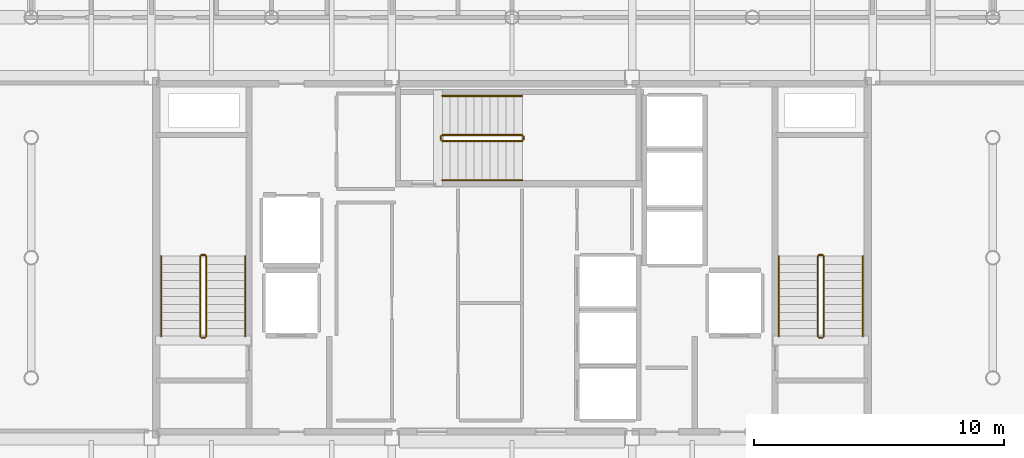
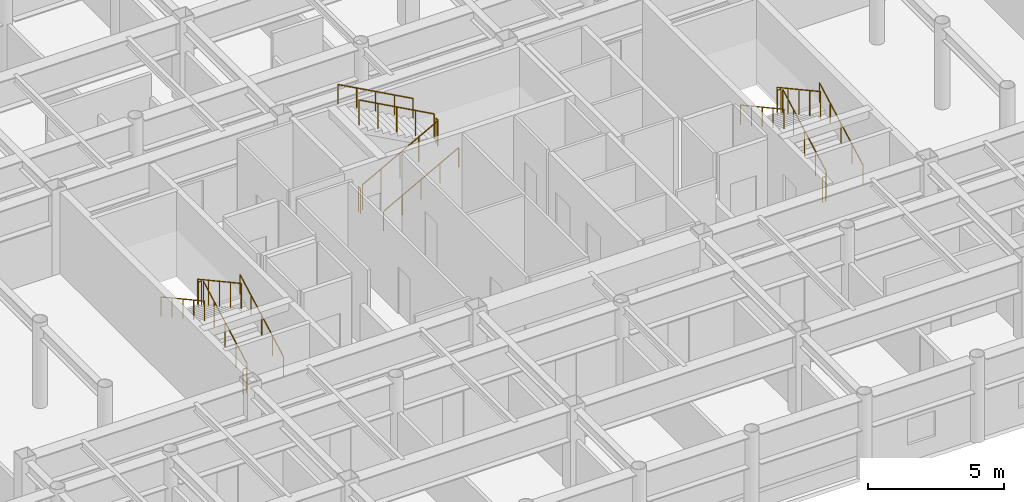
# One storey, part 24 of 25: 18 railings.
"""IFC4 building model written with IfcOpenShell, lengths in metres."""

from ifc_helpers import new_model, si_unit, direction, frame, origin, origin_2d, place, context, subcontext, project, spatial, circle, extrude, material, layer, layer_set, type_object, element, save


model = new_model("IFC4")

# Units and contexts
model_context = context("Model", 3, precision=1e-05, world=origin(), true_north=direction((0.0, 1.0)))
body_context = subcontext(model_context, "Body", "Model", "MODEL_VIEW")
ifc_project = project(units=[si_unit("LENGTHUNIT", "METRE"), si_unit("AREAUNIT", "SQUARE_METRE"), si_unit("VOLUMEUNIT", "CUBIC_METRE"), si_unit("PLANEANGLEUNIT", "RADIAN"), si_unit("MASSUNIT", "GRAM", prefix="KILO")], contexts=[model_context])

# Site, building, storey
site_placement = place(None, origin())
site = spatial("IfcSite", under=ifc_project, at=site_placement, CompositionType="ELEMENT")
building_placement = place(site_placement, origin())
building = spatial("IfcBuilding", under=site, at=building_placement, Name="Kallvorn Hotel Tower", CompositionType="ELEMENT")
storey_placement = place(building_placement, frame((0.0, 0.0, 249.25)))
storey = spatial("IfcBuildingStorey", under=building, at=storey_placement, Name="L62", CompositionType="ELEMENT", Elevation=249.25)

# Railings
ifc_material_1 = material(Name="Brushed stainless-steel tubular railing", Category="steel")
ifc_layer_1 = layer(ifc_material_1, 0.050048828125)
ifc_layer_set_1 = layer_set([ifc_layer_1], Name="RL_STAIR_GUARD")
railing_type_1 = type_object("IfcRailingType", Name="RL_STAIR_GUARD", PredefinedType="GUARDRAIL", material=ifc_layer_set_1)
railing_1_placement = place(storey_placement, frame((-12.2099609375, -3.139892578125, 0.175048828125)))
element("IfcRailing", 1, at=railing_1_placement, inside=storey, type_object=railing_type_1, Name="L62 ST1 stair guard 1", PredefinedType="GUARDRAIL", context=body_context, shape_type="SweptSolid", body=[
    extrude(circle(Radius=0.02392578125, at=origin_2d()), frame((0.0, 0.0, 1.1259765625), z_axis=(0.0, 0.877368057402, 0.479817977833), x_axis=(-1.0, 0.0, 0.0)), (0.0, 0.0, 1.0), 3.647216796875),
    extrude(circle(Radius=0.02099609375, at=origin_2d()), origin(), (0.0, 0.0, 1.0), 1.101806640625),
    extrude(circle(Radius=0.02099609375, at=origin_2d()), frame((0.0, 0.800048828125, 0.4375)), (0.0, 0.0, 1.0), 1.101806640625),
    extrude(circle(Radius=0.02099609375, at=origin_2d()), frame((0.0, 1.60009765625, 0.875)), (0.0, 0.0, 1.0), 1.101806640625),
    extrude(circle(Radius=0.02099609375, at=origin_2d()), frame((0.0, 2.39990234375, 1.3125)), (0.0, 0.0, 1.0), 1.101806640625),
    extrude(circle(Radius=0.02099609375, at=origin_2d()), frame((0.0, 3.199951171875, 1.75)), (0.0, 0.0, 1.0), 1.101806640625),
])
railing_2_placement = place(storey_placement, frame((-12.260009765625, 0.110107421875, 1.925048828125)))
element("IfcRailing", 2, at=railing_2_placement, inside=storey, type_object=railing_type_1, Name="L62 ST1 stair guard 2", PredefinedType="GUARDRAIL", context=body_context, shape_type="SweptSolid", body=[
    extrude(circle(Radius=0.02392578125, at=origin_2d()), frame((0.0, 0.0, 1.1259765625), z_axis=(-1.0, 0.0, 0.0), x_axis=(0.0, -1.0, 0.0)), (0.0, 0.0, 1.0), 0.139892578125),
    extrude(circle(Radius=0.02099609375, at=origin_2d()), origin(), (0.0, 0.0, 1.0), 1.101806640625),
    extrude(circle(Radius=0.02099609375, at=origin_2d()), frame((-0.139892578125, 0.0, 0.0)), (0.0, 0.0, 1.0), 1.101806640625),
])
railing_3_placement = place(storey_placement, frame((-12.449951171875, 0.06005859375, 2.10009765625)))
element("IfcRailing", 3, at=railing_3_placement, inside=storey, type_object=railing_type_1, Name="L62 ST1 stair guard 3", PredefinedType="GUARDRAIL", context=body_context, shape_type="SweptSolid", body=[
    extrude(circle(Radius=0.02392578125, at=origin_2d()), frame((0.0, 0.0, 1.1259765625), z_axis=(0.0, -0.877368057402, 0.479817977833), x_axis=(1.0, 0.0, 0.0)), (0.0, 0.0, 1.0), 3.647216796875),
    extrude(circle(Radius=0.02099609375, at=origin_2d()), origin(), (0.0, 0.0, 1.0), 1.101806640625),
    extrude(circle(Radius=0.02099609375, at=origin_2d()), frame((0.0, -0.800048828125, 0.4375)), (0.0, 0.0, 1.0), 1.101806640625),
    extrude(circle(Radius=0.02099609375, at=origin_2d()), frame((0.0, -1.60009765625, 0.875)), (0.0, 0.0, 1.0), 1.101806640625),
    extrude(circle(Radius=0.02099609375, at=origin_2d()), frame((0.0, -2.39990234375, 1.3125)), (0.0, 0.0, 1.0), 1.101806640625),
    extrude(circle(Radius=0.02099609375, at=origin_2d()), frame((0.0, -3.199951171875, 1.75)), (0.0, 0.0, 1.0), 1.101806640625),
])
railing_4_placement = place(storey_placement, frame((-12.260009765625, -3.18994140625, 0.0)))
element("IfcRailing", 4, at=railing_4_placement, inside=storey, type_object=railing_type_1, Name="L62 ST1 stair guard 4", PredefinedType="GUARDRAIL", context=body_context, shape_type="SweptSolid", body=[
    extrude(circle(Radius=0.02392578125, at=origin_2d()), frame((0.0, 0.0, 1.1259765625), z_axis=(-1.0, 0.0, 0.0), x_axis=(0.0, -1.0, 0.0)), (0.0, 0.0, 1.0), 0.139892578125),
    extrude(circle(Radius=0.02099609375, at=origin_2d()), origin(), (0.0, 0.0, 1.0), 1.101806640625),
    extrude(circle(Radius=0.02099609375, at=origin_2d()), frame((-0.139892578125, 0.0, 0.0)), (0.0, 0.0, 1.0), 1.101806640625),
])
railing_5_placement = place(storey_placement, frame((12.449951171875, -3.139892578125, 0.175048828125)))
element("IfcRailing", 5, at=railing_5_placement, inside=storey, type_object=railing_type_1, Name="L62 ST2 stair guard 1", PredefinedType="GUARDRAIL", context=body_context, shape_type="SweptSolid", body=[
    extrude(circle(Radius=0.02392578125, at=origin_2d()), frame((0.0, 0.0, 1.1259765625), z_axis=(0.0, 0.877368057402, 0.479817977833), x_axis=(-1.0, 0.0, 0.0)), (0.0, 0.0, 1.0), 3.647216796875),
    extrude(circle(Radius=0.02099609375, at=origin_2d()), origin(), (0.0, 0.0, 1.0), 1.101806640625),
    extrude(circle(Radius=0.02099609375, at=origin_2d()), frame((0.0, 0.800048828125, 0.4375)), (0.0, 0.0, 1.0), 1.101806640625),
    extrude(circle(Radius=0.02099609375, at=origin_2d()), frame((0.0, 1.60009765625, 0.875)), (0.0, 0.0, 1.0), 1.101806640625),
    extrude(circle(Radius=0.02099609375, at=origin_2d()), frame((0.0, 2.39990234375, 1.3125)), (0.0, 0.0, 1.0), 1.101806640625),
    extrude(circle(Radius=0.02099609375, at=origin_2d()), frame((0.0, 3.199951171875, 1.75)), (0.0, 0.0, 1.0), 1.101806640625),
])
railing_6_placement = place(storey_placement, frame((12.39990234375, 0.110107421875, 1.925048828125)))
element("IfcRailing", 6, at=railing_6_placement, inside=storey, type_object=railing_type_1, Name="L62 ST2 stair guard 2", PredefinedType="GUARDRAIL", context=body_context, shape_type="SweptSolid", body=[
    extrude(circle(Radius=0.02392578125, at=origin_2d()), frame((0.0, 0.0, 1.1259765625), z_axis=(-1.0, 0.0, 0.0), x_axis=(0.0, -1.0, 0.0)), (0.0, 0.0, 1.0), 0.139892578125),
    extrude(circle(Radius=0.02099609375, at=origin_2d()), origin(), (0.0, 0.0, 1.0), 1.101806640625),
    extrude(circle(Radius=0.02099609375, at=origin_2d()), frame((-0.139892578125, 0.0, 0.0)), (0.0, 0.0, 1.0), 1.101806640625),
])
railing_7_placement = place(storey_placement, frame((12.2099609375, 0.06005859375, 2.10009765625)))
element("IfcRailing", 7, at=railing_7_placement, inside=storey, type_object=railing_type_1, Name="L62 ST2 stair guard 3", PredefinedType="GUARDRAIL", context=body_context, shape_type="SweptSolid", body=[
    extrude(circle(Radius=0.02392578125, at=origin_2d()), frame((0.0, 0.0, 1.1259765625), z_axis=(0.0, -0.877368057402, 0.479817977833), x_axis=(1.0, 0.0, 0.0)), (0.0, 0.0, 1.0), 3.647216796875),
    extrude(circle(Radius=0.02099609375, at=origin_2d()), origin(), (0.0, 0.0, 1.0), 1.101806640625),
    extrude(circle(Radius=0.02099609375, at=origin_2d()), frame((0.0, -0.800048828125, 0.4375)), (0.0, 0.0, 1.0), 1.101806640625),
    extrude(circle(Radius=0.02099609375, at=origin_2d()), frame((0.0, -1.60009765625, 0.875)), (0.0, 0.0, 1.0), 1.101806640625),
    extrude(circle(Radius=0.02099609375, at=origin_2d()), frame((0.0, -2.39990234375, 1.3125)), (0.0, 0.0, 1.0), 1.101806640625),
    extrude(circle(Radius=0.02099609375, at=origin_2d()), frame((0.0, -3.199951171875, 1.75)), (0.0, 0.0, 1.0), 1.101806640625),
])
railing_8_placement = place(storey_placement, frame((12.39990234375, -3.18994140625, 0.0)))
element("IfcRailing", 8, at=railing_8_placement, inside=storey, type_object=railing_type_1, Name="L62 ST2 stair guard 4", PredefinedType="GUARDRAIL", context=body_context, shape_type="SweptSolid", body=[
    extrude(circle(Radius=0.02392578125, at=origin_2d()), frame((0.0, 0.0, 1.1259765625), z_axis=(-1.0, 0.0, 0.0), x_axis=(0.0, -1.0, 0.0)), (0.0, 0.0, 1.0), 0.139892578125),
    extrude(circle(Radius=0.02099609375, at=origin_2d()), origin(), (0.0, 0.0, 1.0), 1.101806640625),
    extrude(circle(Radius=0.02099609375, at=origin_2d()), frame((-0.139892578125, 0.0, 0.0)), (0.0, 0.0, 1.0), 1.101806640625),
])
railing_9_placement = place(storey_placement, frame((-2.7900390625, 4.659912109375, 0.175048828125)))
element("IfcRailing", 9, at=railing_9_placement, inside=storey, type_object=railing_type_1, Name="L62 ST3 stair guard 1", PredefinedType="GUARDRAIL", context=body_context, shape_type="SweptSolid", body=[
    extrude(circle(Radius=0.02392578125, at=origin_2d()), frame((0.0, 0.0, 1.1259765625), z_axis=(0.877368057402, 0.0, 0.479817977833), x_axis=(0.0, 1.0, 0.0)), (0.0, 0.0, 1.0), 3.647216796875),
    extrude(circle(Radius=0.02099609375, at=origin_2d()), origin(), (0.0, 0.0, 1.0), 1.101806640625),
    extrude(circle(Radius=0.02099609375, at=origin_2d()), frame((0.800048828125, 0.0, 0.4375)), (0.0, 0.0, 1.0), 1.101806640625),
    extrude(circle(Radius=0.02099609375, at=origin_2d()), frame((1.60009765625, 0.0, 0.875)), (0.0, 0.0, 1.0), 1.101806640625),
    extrude(circle(Radius=0.02099609375, at=origin_2d()), frame((2.39990234375, 0.0, 1.3125)), (0.0, 0.0, 1.0), 1.101806640625),
    extrude(circle(Radius=0.02099609375, at=origin_2d()), frame((3.199951171875, 0.0, 1.75)), (0.0, 0.0, 1.0), 1.101806640625),
])
railing_10_placement = place(storey_placement, frame((0.4599609375, 4.7099609375, 1.925048828125)))
element("IfcRailing", 10, at=railing_10_placement, inside=storey, type_object=railing_type_1, Name="L62 ST3 stair guard 2", PredefinedType="GUARDRAIL", context=body_context, shape_type="SweptSolid", body=[
    extrude(circle(Radius=0.02392578125, at=origin_2d()), frame((0.0, 0.0, 1.1259765625), z_axis=(0.0, 1.0, 0.0), x_axis=(-1.0, 0.0, 0.0)), (0.0, 0.0, 1.0), 0.14013671875),
    extrude(circle(Radius=0.02099609375, at=origin_2d()), origin(), (0.0, 0.0, 1.0), 1.101806640625),
    extrude(circle(Radius=0.02099609375, at=origin_2d()), frame((0.0, 0.14013671875, 0.0)), (0.0, 0.0, 1.0), 1.101806640625),
])
railing_11_placement = place(storey_placement, frame((0.409912109375, 4.89990234375, 2.10009765625)))
element("IfcRailing", 11, at=railing_11_placement, inside=storey, type_object=railing_type_1, Name="L62 ST3 stair guard 3", PredefinedType="GUARDRAIL", context=body_context, shape_type="SweptSolid", body=[
    extrude(circle(Radius=0.02392578125, at=origin_2d()), frame((0.0, 0.0, 1.1259765625), z_axis=(-0.877368057402, 0.0, 0.479817977833), x_axis=(0.0, -1.0, 0.0)), (0.0, 0.0, 1.0), 3.647216796875),
    extrude(circle(Radius=0.02099609375, at=origin_2d()), origin(), (0.0, 0.0, 1.0), 1.101806640625),
    extrude(circle(Radius=0.02099609375, at=origin_2d()), frame((-0.800048828125, 0.0, 0.4375)), (0.0, 0.0, 1.0), 1.101806640625),
    extrude(circle(Radius=0.02099609375, at=origin_2d()), frame((-1.60009765625, 0.0, 0.875)), (0.0, 0.0, 1.0), 1.101806640625),
    extrude(circle(Radius=0.02099609375, at=origin_2d()), frame((-2.39990234375, 0.0, 1.3125)), (0.0, 0.0, 1.0), 1.101806640625),
    extrude(circle(Radius=0.02099609375, at=origin_2d()), frame((-3.199951171875, 0.0, 1.75)), (0.0, 0.0, 1.0), 1.101806640625),
])
railing_12_placement = place(storey_placement, frame((-2.840087890625, 4.7099609375, 0.0)))
element("IfcRailing", 12, at=railing_12_placement, inside=storey, type_object=railing_type_1, Name="L62 ST3 stair guard 4", PredefinedType="GUARDRAIL", context=body_context, shape_type="SweptSolid", body=[
    extrude(circle(Radius=0.02392578125, at=origin_2d()), frame((0.0, 0.0, 1.1259765625), z_axis=(0.0, 1.0, 0.0), x_axis=(-1.0, 0.0, 0.0)), (0.0, 0.0, 1.0), 0.14013671875),
    extrude(circle(Radius=0.02099609375, at=origin_2d()), origin(), (0.0, 0.0, 1.0), 1.101806640625),
    extrude(circle(Radius=0.02099609375, at=origin_2d()), frame((0.0, 0.14013671875, 0.0)), (0.0, 0.0, 1.0), 1.101806640625),
])
ifc_material_2 = material(Name="Brushed stainless-steel tubular railing", Category="steel")
ifc_layer_2 = layer(ifc_material_2, 0.050048828125)
ifc_layer_set_2 = layer_set([ifc_layer_2], Name="RL_STAIR_HAND")
railing_type_2 = type_object("IfcRailingType", Name="RL_STAIR_HAND", PredefinedType="HANDRAIL", material=ifc_layer_set_2)
railing_13_placement = place(storey_placement, frame((-10.64990234375, -3.139892578125, 0.175048828125)))
element("IfcRailing", 13, at=railing_13_placement, inside=storey, type_object=railing_type_2, Name="L62 ST1 stair handrail 1", PredefinedType="HANDRAIL", context=body_context, shape_type="SweptSolid", body=[
    extrude(circle(Radius=0.02392578125, at=origin_2d()), frame((0.0, 0.0, 0.8759765625), z_axis=(0.0, 0.877368057402, 0.479817977833), x_axis=(-1.0, 0.0, 0.0)), (0.0, 0.0, 1.0), 3.647216796875),
    extrude(circle(Radius=0.02099609375, at=origin_2d()), origin(), (0.0, 0.0, 1.0), 0.851806640625),
    extrude(circle(Radius=0.02099609375, at=origin_2d()), frame((0.0, 0.800048828125, 0.4375)), (0.0, 0.0, 1.0), 0.851806640625),
    extrude(circle(Radius=0.02099609375, at=origin_2d()), frame((0.0, 1.60009765625, 0.875)), (0.0, 0.0, 1.0), 0.851806640625),
    extrude(circle(Radius=0.02099609375, at=origin_2d()), frame((0.0, 2.39990234375, 1.3125)), (0.0, 0.0, 1.0), 0.851806640625),
    extrude(circle(Radius=0.02099609375, at=origin_2d()), frame((0.0, 3.199951171875, 1.75)), (0.0, 0.0, 1.0), 0.851806640625),
])
railing_14_placement = place(storey_placement, frame((-14.010009765625, 0.06005859375, 2.10009765625)))
element("IfcRailing", 14, at=railing_14_placement, inside=storey, type_object=railing_type_2, Name="L62 ST1 stair handrail 2", PredefinedType="HANDRAIL", context=body_context, shape_type="SweptSolid", body=[
    extrude(circle(Radius=0.02392578125, at=origin_2d()), frame((0.0, 0.0, 0.8759765625), z_axis=(0.0, -0.877368057402, 0.479817977833), x_axis=(1.0, 0.0, 0.0)), (0.0, 0.0, 1.0), 3.647216796875),
    extrude(circle(Radius=0.02099609375, at=origin_2d()), origin(), (0.0, 0.0, 1.0), 0.851806640625),
    extrude(circle(Radius=0.02099609375, at=origin_2d()), frame((0.0, -0.800048828125, 0.4375)), (0.0, 0.0, 1.0), 0.851806640625),
    extrude(circle(Radius=0.02099609375, at=origin_2d()), frame((0.0, -1.60009765625, 0.875)), (0.0, 0.0, 1.0), 0.851806640625),
    extrude(circle(Radius=0.02099609375, at=origin_2d()), frame((0.0, -2.39990234375, 1.3125)), (0.0, 0.0, 1.0), 0.851806640625),
    extrude(circle(Radius=0.02099609375, at=origin_2d()), frame((0.0, -3.199951171875, 1.75)), (0.0, 0.0, 1.0), 0.851806640625),
])
railing_15_placement = place(storey_placement, frame((14.010009765625, -3.139892578125, 0.175048828125)))
element("IfcRailing", 15, at=railing_15_placement, inside=storey, type_object=railing_type_2, Name="L62 ST2 stair handrail 1", PredefinedType="HANDRAIL", context=body_context, shape_type="SweptSolid", body=[
    extrude(circle(Radius=0.02392578125, at=origin_2d()), frame((0.0, 0.0, 0.8759765625), z_axis=(0.0, 0.877368057402, 0.479817977833), x_axis=(-1.0, 0.0, 0.0)), (0.0, 0.0, 1.0), 3.647216796875),
    extrude(circle(Radius=0.02099609375, at=origin_2d()), origin(), (0.0, 0.0, 1.0), 0.851806640625),
    extrude(circle(Radius=0.02099609375, at=origin_2d()), frame((0.0, 0.800048828125, 0.4375)), (0.0, 0.0, 1.0), 0.851806640625),
    extrude(circle(Radius=0.02099609375, at=origin_2d()), frame((0.0, 1.60009765625, 0.875)), (0.0, 0.0, 1.0), 0.851806640625),
    extrude(circle(Radius=0.02099609375, at=origin_2d()), frame((0.0, 2.39990234375, 1.3125)), (0.0, 0.0, 1.0), 0.851806640625),
    extrude(circle(Radius=0.02099609375, at=origin_2d()), frame((0.0, 3.199951171875, 1.75)), (0.0, 0.0, 1.0), 0.851806640625),
])
railing_16_placement = place(storey_placement, frame((10.64990234375, 0.06005859375, 2.10009765625)))
element("IfcRailing", 16, at=railing_16_placement, inside=storey, type_object=railing_type_2, Name="L62 ST2 stair handrail 2", PredefinedType="HANDRAIL", context=body_context, shape_type="SweptSolid", body=[
    extrude(circle(Radius=0.02392578125, at=origin_2d()), frame((0.0, 0.0, 0.8759765625), z_axis=(0.0, -0.877368057402, 0.479817977833), x_axis=(1.0, 0.0, 0.0)), (0.0, 0.0, 1.0), 3.647216796875),
    extrude(circle(Radius=0.02099609375, at=origin_2d()), origin(), (0.0, 0.0, 1.0), 0.851806640625),
    extrude(circle(Radius=0.02099609375, at=origin_2d()), frame((0.0, -0.800048828125, 0.4375)), (0.0, 0.0, 1.0), 0.851806640625),
    extrude(circle(Radius=0.02099609375, at=origin_2d()), frame((0.0, -1.60009765625, 0.875)), (0.0, 0.0, 1.0), 0.851806640625),
    extrude(circle(Radius=0.02099609375, at=origin_2d()), frame((0.0, -2.39990234375, 1.3125)), (0.0, 0.0, 1.0), 0.851806640625),
    extrude(circle(Radius=0.02099609375, at=origin_2d()), frame((0.0, -3.199951171875, 1.75)), (0.0, 0.0, 1.0), 0.851806640625),
])
railing_17_placement = place(storey_placement, frame((-2.7900390625, 3.10009765625, 0.175048828125)))
element("IfcRailing", 17, at=railing_17_placement, inside=storey, type_object=railing_type_2, Name="L62 ST3 stair handrail 1", PredefinedType="HANDRAIL", context=body_context, shape_type="SweptSolid", body=[
    extrude(circle(Radius=0.02392578125, at=origin_2d()), frame((0.0, 0.0, 0.8759765625), z_axis=(0.877368057402, 0.0, 0.479817977833), x_axis=(0.0, 1.0, 0.0)), (0.0, 0.0, 1.0), 3.647216796875),
    extrude(circle(Radius=0.02099609375, at=origin_2d()), origin(), (0.0, 0.0, 1.0), 0.851806640625),
    extrude(circle(Radius=0.02099609375, at=origin_2d()), frame((0.800048828125, 0.0, 0.4375)), (0.0, 0.0, 1.0), 0.851806640625),
    extrude(circle(Radius=0.02099609375, at=origin_2d()), frame((1.60009765625, 0.0, 0.875)), (0.0, 0.0, 1.0), 0.851806640625),
    extrude(circle(Radius=0.02099609375, at=origin_2d()), frame((2.39990234375, 0.0, 1.3125)), (0.0, 0.0, 1.0), 0.851806640625),
    extrude(circle(Radius=0.02099609375, at=origin_2d()), frame((3.199951171875, 0.0, 1.75)), (0.0, 0.0, 1.0), 0.851806640625),
])
railing_18_placement = place(storey_placement, frame((0.409912109375, 6.4599609375, 2.10009765625)))
element("IfcRailing", 18, at=railing_18_placement, inside=storey, type_object=railing_type_2, Name="L62 ST3 stair handrail 2", PredefinedType="HANDRAIL", context=body_context, shape_type="SweptSolid", body=[
    extrude(circle(Radius=0.02392578125, at=origin_2d()), frame((0.0, 0.0, 0.8759765625), z_axis=(-0.877368057402, 0.0, 0.479817977833), x_axis=(0.0, -1.0, 0.0)), (0.0, 0.0, 1.0), 3.647216796875),
    extrude(circle(Radius=0.02099609375, at=origin_2d()), origin(), (0.0, 0.0, 1.0), 0.851806640625),
    extrude(circle(Radius=0.02099609375, at=origin_2d()), frame((-0.800048828125, 0.0, 0.4375)), (0.0, 0.0, 1.0), 0.851806640625),
    extrude(circle(Radius=0.02099609375, at=origin_2d()), frame((-1.60009765625, 0.0, 0.875)), (0.0, 0.0, 1.0), 0.851806640625),
    extrude(circle(Radius=0.02099609375, at=origin_2d()), frame((-2.39990234375, 0.0, 1.3125)), (0.0, 0.0, 1.0), 0.851806640625),
    extrude(circle(Radius=0.02099609375, at=origin_2d()), frame((-3.199951171875, 0.0, 1.75)), (0.0, 0.0, 1.0), 0.851806640625),
])

save(model, "model.ifc")
